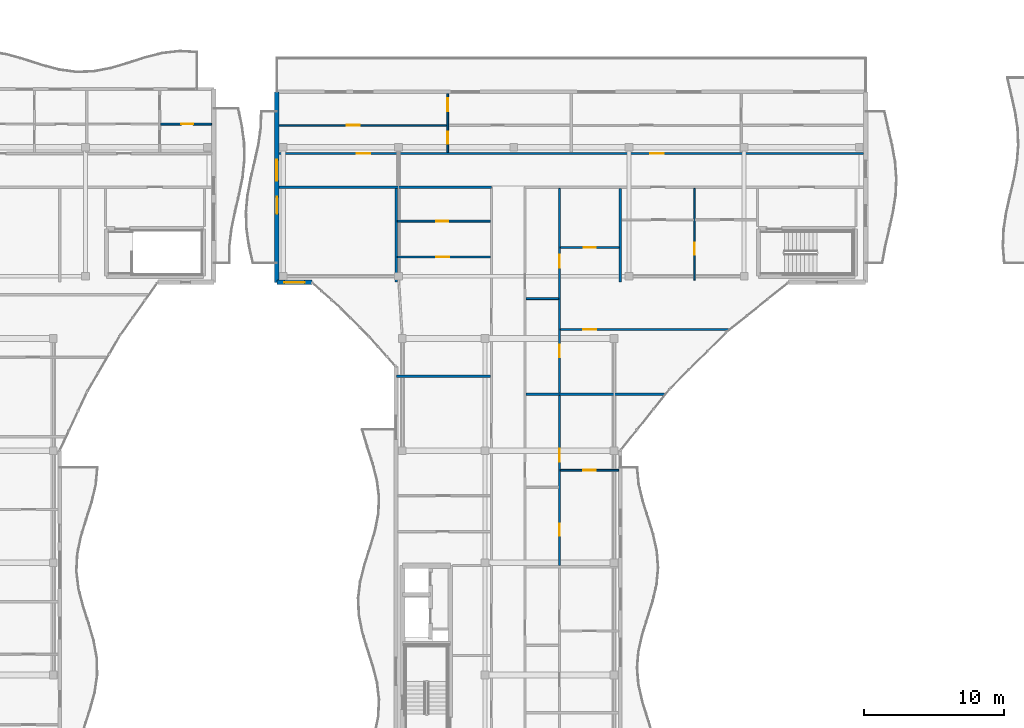
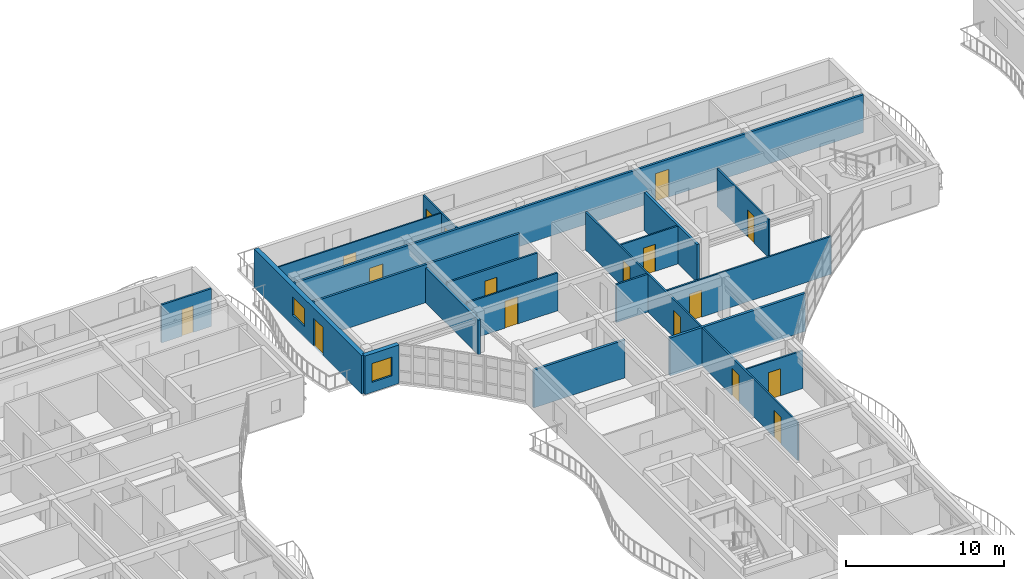
# One storey, part 34 of 68: 20 walls, 17 doors, 2 windows, 19 openings.
"""IFC4 building model written with IfcOpenShell, lengths in metres."""

from ifc_helpers import new_model, si_unit, direction, frame, frame_2d, origin, place, context, subcontext, project, spatial, rectangle, extrude, material, layer, layer_set, type_object, element, fill, save


model = new_model("IFC4")

# Units and contexts
model_context = context("Model", 3, precision=1e-05, world=origin(), true_north=direction((0.0, 1.0)))
body_context = subcontext(model_context, "Body", "Model", "MODEL_VIEW")
ifc_project = project(units=[si_unit("LENGTHUNIT", "METRE"), si_unit("AREAUNIT", "SQUARE_METRE"), si_unit("VOLUMEUNIT", "CUBIC_METRE"), si_unit("PLANEANGLEUNIT", "RADIAN"), si_unit("MASSUNIT", "GRAM", prefix="KILO")], contexts=[model_context])

# Site, building, storey
site_placement = place(None, origin())
site = spatial("IfcSite", under=ifc_project, at=site_placement, CompositionType="ELEMENT")
building_placement = place(site_placement, origin())
building = spatial("IfcBuilding", under=site, at=building_placement, Name="Keldmere Railside Commons", CompositionType="ELEMENT")
storey_placement = place(building_placement, frame((0.0, 0.0, 23.360107421875)))
storey = spatial("IfcBuildingStorey", under=building, at=storey_placement, Name="L07", CompositionType="ELEMENT", Elevation=23.360107421875)

# Walls
ifc_material_1 = material(Name="Acoustic Gypsum Board Partition", Category="gypsum")
ifc_layer_1 = layer(ifc_material_1, 0.179931640625, Name="Acoustic Demising Partition 180")
ifc_layer_set_1 = layer_set([ifc_layer_1], Name="Acoustic Gypsum Board Partition")
wall_type_1 = type_object("IfcWallType", Name="Acoustic Demising Partition 180", PredefinedType="PARTITIONING", material=ifc_layer_set_1)
wall_1_placement = place(storey_placement, frame((64.0, 100.050048828125, 0.0), z_axis=(0.0, 0.0, 1.0), x_axis=(0.0, 1.0, 0.0)))
element("IfcWall", 1, at=wall_1_placement, inside=storey, type_object=wall_type_1, Name="IW-1 IW-L07-0777", PredefinedType="PARTITIONING", context=body_context, shape_type="SweptSolid", body=[
    extrude(rectangle(XDim=6.669921875, YDim=0.179931640625, at=frame_2d((3.3349609375, 0.0))), origin(), (0.0, 0.0, 1.0), 2.934814453125),
])
wall_2_placement = place(storey_placement, frame((48.0, 100.050048828125, 0.0), z_axis=(0.0, 0.0, 1.0), x_axis=(0.0, 1.0, 0.0)))
element("IfcWall", 2, at=wall_2_placement, inside=storey, type_object=wall_type_1, Name="IW-1 IW-L07-0778", PredefinedType="PARTITIONING", context=body_context, shape_type="SweptSolid", body=[
    extrude(rectangle(XDim=6.669921875, YDim=0.179931640625, at=frame_2d((3.3349609375, 0.0))), origin(), (0.0, 0.0, 1.0), 2.679931640625),
])
wall_3_placement = place(storey_placement, frame((57.280029296875, 92.0400390625, 0.0), z_axis=(0.0, 0.0, 1.0), x_axis=(1.0, 0.0, 0.0)))
element("IfcWall", 3, at=wall_3_placement, inside=storey, type_object=wall_type_1, Name="IW-1 IW-L07-0783", PredefinedType="PARTITIONING", context=body_context, shape_type="SweptSolid", body=[
    extrude(rectangle(XDim=9.90966796875, YDim=0.179931640625, at=frame_2d((4.954833984375, 0.0))), origin(), (0.0, 0.0, 1.0), 2.934814453125),
])
wall_4_placement = place(storey_placement, frame((48.0400390625, 93.300048828125, 0.0), z_axis=(0.0, 0.0, 1.0), x_axis=(1.0, 0.0, 0.0)))
element("IfcWall", 4, at=wall_4_placement, inside=storey, type_object=wall_type_1, Name="IW-1 IW-L07-0807", PredefinedType="PARTITIONING", context=body_context, shape_type="SweptSolid", body=[
    extrude(rectangle(XDim=6.679931640625, YDim=0.179931640625, at=frame_2d((3.33984375, 0.0))), origin(), (0.0, 0.0, 1.0), 2.934814453125),
])

# Wall, openings, doors
ifc_layer_2 = layer(ifc_material_1, 0.1201171875, Name="Apartment Interior Partition 120")
ifc_layer_set_2 = layer_set([ifc_layer_2], Name="Acoustic Gypsum Board Partition")
wall_type_2 = type_object("IfcWallType", Name="Apartment Interior Partition 120", PredefinedType="PARTITIONING", material=ifc_layer_set_2)
wall_5_placement = place(storey_placement, frame((59.659912109375, 79.81005859375, 0.0), z_axis=(0.0, 0.0, 1.0), x_axis=(0.0, 1.0, 0.0)))
wall_5 = element("IfcWall", 5, at=wall_5_placement, inside=storey, type_object=wall_type_2, Name="IW-4 IW-L07-0790", PredefinedType="PARTITIONING", context=body_context, shape_type="SweptSolid", body=[
    extrude(rectangle(XDim=12.139892578125, YDim=0.1201171875, at=frame_2d((6.06982421875, 0.0))), origin(), (0.0, 0.0, 1.0), 2.934814453125),
])
opening_1_placement = place(wall_5_placement, frame((2.120361328125, 0.0, 0.0)))
opening_1 = element("IfcOpeningElement", 6, at=opening_1_placement, cuts=wall_5, Name="Opening ID-04", PredefinedType="OPENING", context=body_context, shape_type="SweptSolid", body=[
    extrude(rectangle(XDim=0.860107421875, YDim=2.10009765625, at=frame_2d((0.43017578125, 1.050048828125))), frame((0.0, 0.070068359375, 0.0), z_axis=(0.0, -1.0, 0.0), x_axis=(1.0, 0.0, 0.0)), (0.0, 0.0, 1.0), 0.14013671875),
])
opening_2_placement = place(wall_5_placement, frame((7.416748046875, 0.0, 0.0)))
opening_2 = element("IfcOpeningElement", 7, at=opening_2_placement, cuts=wall_5, Name="Opening ID-03", PredefinedType="OPENING", context=body_context, shape_type="SweptSolid", body=[
    extrude(rectangle(XDim=0.919921875, YDim=2.10009765625, at=frame_2d((0.4599609375, 1.050048828125))), frame((0.0, 0.070068359375, 0.0), z_axis=(0.0, -1.0, 0.0), x_axis=(1.0, 0.0, 0.0)), (0.0, 0.0, 1.0), 0.14013671875),
])
ifc_material_2 = material(Name="Engineered Oak Timber", Category="wood")
door_type_1 = type_object("IfcDoorType", Name="Apartment Bathroom Door 860x2100", OperationType="NOTDEFINED", PredefinedType="DOOR", material=ifc_material_2)
door_1_placement = place(opening_1_placement, origin())
door_1 = element("IfcDoor", 8, at=door_1_placement, inside=storey, type_object=door_type_1, Name="ID-04 IDR-L07-0671", OperationType="SINGLE_SWING_LEFT", OverallHeight=2.10009765625, OverallWidth=0.860107421875, PredefinedType="DOOR", context=body_context, shape_type="SweptSolid", body=[
    extrude(rectangle(XDim=0.860107421875, YDim=2.10009765625, at=frame_2d((0.43017578125, 1.050048828125))), frame((0.0, 0.02490234375, 0.0), z_axis=(0.0, -1.0, 0.0), x_axis=(1.0, 0.0, 0.0)), (0.0, 0.0, 1.0), 0.050048828125),
])
fill(opening_1, door_1)
door_type_2 = type_object("IfcDoorType", Name="Kitchen Pocket-Frame Swing Door 920x2100", OperationType="NOTDEFINED", PredefinedType="DOOR", material=ifc_material_2)
door_2_placement = place(opening_2_placement, origin())
door_2 = element("IfcDoor", 9, at=door_2_placement, inside=storey, type_object=door_type_2, Name="ID-03 IDR-L07-0672", OperationType="SINGLE_SWING_RIGHT", OverallHeight=2.10009765625, OverallWidth=0.919921875, PredefinedType="DOOR", context=body_context, shape_type="SweptSolid", body=[
    extrude(rectangle(XDim=0.919921875, YDim=2.10009765625, at=frame_2d((0.4599609375, 1.050048828125))), frame((0.0, 0.02490234375, 0.0), z_axis=(0.0, -1.0, 0.0), x_axis=(1.0, 0.0, 0.0)), (0.0, 0.0, 1.0), 0.050048828125),
])
fill(opening_2, door_2)

# Wall, opening, door
wall_6_placement = place(storey_placement, frame((59.719970703125, 86.610107421875, 0.0), z_axis=(0.0, 0.0, 1.0), x_axis=(1.0, 0.0, 0.0)))
wall_6 = element("IfcWall", 10, at=wall_6_placement, inside=storey, type_object=wall_type_2, Name="IW-4 IW-L07-0792", PredefinedType="PARTITIONING", context=body_context, shape_type="SweptSolid", body=[
    extrude(rectangle(XDim=4.150146484375, YDim=0.1201171875, at=frame_2d((2.0751953125, 0.0))), origin(), (0.0, 0.0, 1.0), 2.934814453125),
])
opening_3_placement = place(wall_6_placement, frame((1.625, 0.0, 0.0)))
opening_3 = element("IfcOpeningElement", 11, at=opening_3_placement, cuts=wall_6, Name="Opening ID-01", PredefinedType="OPENING", context=body_context, shape_type="SweptSolid", body=[
    extrude(rectangle(XDim=0.89990234375, YDim=2.10009765625, at=frame_2d((0.449951171875, 1.050048828125))), frame((0.0, 0.070068359375, 0.0), z_axis=(0.0, -1.0, 0.0), x_axis=(1.0, 0.0, 0.0)), (0.0, 0.0, 1.0), 0.14013671875),
])
door_type_3 = type_object("IfcDoorType", Name="Primary Bedroom Door 900x2100", OperationType="NOTDEFINED", PredefinedType="DOOR", material=ifc_material_2)
door_3_placement = place(opening_3_placement, origin())
door_3 = element("IfcDoor", 12, at=door_3_placement, inside=storey, type_object=door_type_3, Name="ID-01 IDR-L07-0674", OperationType="SINGLE_SWING_RIGHT", OverallHeight=2.10009765625, OverallWidth=0.89990234375, PredefinedType="DOOR", context=body_context, shape_type="SweptSolid", body=[
    extrude(rectangle(XDim=0.89990234375, YDim=2.10009765625, at=frame_2d((0.449951171875, 1.050048828125))), frame((0.0, 0.02490234375, 0.0), z_axis=(0.0, -1.0, 0.0), x_axis=(1.0, 0.0, 0.0)), (0.0, 0.0, 1.0), 0.050048828125),
])
fill(opening_3, door_3)

# Wall, openings, doors
wall_7_placement = place(storey_placement, frame((59.659912109375, 92.1298828125, 0.0), z_axis=(0.0, 0.0, 1.0), x_axis=(0.0, 1.0, 0.0)))
wall_7 = element("IfcWall", 13, at=wall_7_placement, inside=storey, type_object=wall_type_2, Name="IW-4 IW-L07-0793", PredefinedType="PARTITIONING", context=body_context, shape_type="SweptSolid", body=[
    extrude(rectangle(XDim=14.590087890625, YDim=0.1201171875, at=frame_2d((7.294921875, 0.0))), origin(), (0.0, 0.0, 1.0), 2.934814453125),
])
opening_4_placement = place(wall_7_placement, frame((2.5498046875, 0.0, 0.0)))
opening_4 = element("IfcOpeningElement", 14, at=opening_4_placement, cuts=wall_7, Name="Opening ID-04", PredefinedType="OPENING", context=body_context, shape_type="SweptSolid", body=[
    extrude(rectangle(XDim=0.860107421875, YDim=2.10009765625, at=frame_2d((0.43017578125, 1.050048828125))), frame((0.0, 0.070068359375, 0.0), z_axis=(0.0, -1.0, 0.0), x_axis=(1.0, 0.0, 0.0)), (0.0, 0.0, 1.0), 0.14013671875),
])
opening_5_placement = place(wall_7_placement, frame((8.91650390625, 0.0, 0.0)))
opening_5 = element("IfcOpeningElement", 15, at=opening_5_placement, cuts=wall_7, Name="Opening ID-03", PredefinedType="OPENING", context=body_context, shape_type="SweptSolid", body=[
    extrude(rectangle(XDim=0.919921875, YDim=2.10009765625, at=frame_2d((0.4599609375, 1.050048828125))), frame((0.0, 0.070068359375, 0.0), z_axis=(0.0, -1.0, 0.0), x_axis=(1.0, 0.0, 0.0)), (0.0, 0.0, 1.0), 0.14013671875),
])
door_4_placement = place(opening_4_placement, origin())
door_4 = element("IfcDoor", 16, at=door_4_placement, inside=storey, type_object=door_type_1, Name="ID-04 IDR-L07-0675", OperationType="SINGLE_SWING_LEFT", OverallHeight=2.10009765625, OverallWidth=0.860107421875, PredefinedType="DOOR", context=body_context, shape_type="SweptSolid", body=[
    extrude(rectangle(XDim=0.860107421875, YDim=2.10009765625, at=frame_2d((0.43017578125, 1.050048828125))), frame((0.0, 0.02490234375, 0.0), z_axis=(0.0, -1.0, 0.0), x_axis=(1.0, 0.0, 0.0)), (0.0, 0.0, 1.0), 0.050048828125),
])
fill(opening_4, door_4)
door_5_placement = place(opening_5_placement, origin())
door_5 = element("IfcDoor", 17, at=door_5_placement, inside=storey, type_object=door_type_2, Name="ID-03 IDR-L07-0676", OperationType="SINGLE_SWING_RIGHT", OverallHeight=2.10009765625, OverallWidth=0.919921875, PredefinedType="DOOR", context=body_context, shape_type="SweptSolid", body=[
    extrude(rectangle(XDim=0.919921875, YDim=2.10009765625, at=frame_2d((0.4599609375, 1.050048828125))), frame((0.0, 0.02490234375, 0.0), z_axis=(0.0, -1.0, 0.0), x_axis=(1.0, 0.0, 0.0)), (0.0, 0.0, 1.0), 0.050048828125),
])
fill(opening_5, door_5)

# Wall, opening, door
wall_8_placement = place(storey_placement, frame((59.719970703125, 96.64990234375, 0.0), z_axis=(0.0, 0.0, 1.0), x_axis=(1.0, 0.0, 0.0)))
wall_8 = element("IfcWall", 18, at=wall_8_placement, inside=storey, type_object=wall_type_2, Name="IW-4 IW-L07-0795", PredefinedType="PARTITIONING", context=body_context, shape_type="SweptSolid", body=[
    extrude(rectangle(XDim=12.04052734375, YDim=0.1201171875, at=frame_2d((6.020263671875, 0.0))), origin(), (0.0, 0.0, 1.0), 2.934814453125),
])
opening_6_placement = place(wall_8_placement, frame((1.64501953125, 0.0, 0.0)))
opening_6 = element("IfcOpeningElement", 19, at=opening_6_placement, cuts=wall_8, Name="Opening ID-01", PredefinedType="OPENING", context=body_context, shape_type="SweptSolid", body=[
    extrude(rectangle(XDim=0.89990234375, YDim=2.10009765625, at=frame_2d((0.449951171875, 1.050048828125))), frame((0.0, 0.070068359375, 0.0), z_axis=(0.0, -1.0, 0.0), x_axis=(1.0, 0.0, 0.0)), (0.0, 0.0, 1.0), 0.14013671875),
])
door_6_placement = place(opening_6_placement, origin())
door_6 = element("IfcDoor", 20, at=door_6_placement, inside=storey, type_object=door_type_3, Name="ID-01 IDR-L07-0678", OperationType="SINGLE_SWING_RIGHT", OverallHeight=2.10009765625, OverallWidth=0.89990234375, PredefinedType="DOOR", context=body_context, shape_type="SweptSolid", body=[
    extrude(rectangle(XDim=0.89990234375, YDim=2.10009765625, at=frame_2d((0.449951171875, 1.050048828125))), frame((0.0, 0.02490234375, 0.0), z_axis=(0.0, -1.0, 0.0), x_axis=(1.0, 0.0, 0.0)), (0.0, 0.0, 1.0), 0.050048828125),
])
fill(opening_6, door_6)

wall_9_placement = place(storey_placement, frame((59.719970703125, 102.489990234375, 0.0), z_axis=(0.0, 0.0, 1.0), x_axis=(1.0, 0.0, 0.0)))
wall_9 = element("IfcWall", 21, at=wall_9_placement, inside=storey, type_object=wall_type_2, Name="IW-4 IW-L07-0796", PredefinedType="PARTITIONING", context=body_context, shape_type="SweptSolid", body=[
    extrude(rectangle(XDim=4.18994140625, YDim=0.1201171875, at=frame_2d((2.094970703125, 0.0))), origin(), (0.0, 0.0, 1.0), 2.934814453125),
])
opening_7_placement = place(wall_9_placement, frame((1.655029296875, 0.0, 0.0)))
opening_7 = element("IfcOpeningElement", 22, at=opening_7_placement, cuts=wall_9, Name="Opening ID-02", PredefinedType="OPENING", context=body_context, shape_type="SweptSolid", body=[
    extrude(rectangle(XDim=0.8798828125, YDim=2.10009765625, at=frame_2d((0.43994140625, 1.050048828125))), frame((0.0, 0.070068359375, 0.0), z_axis=(0.0, -1.0, 0.0), x_axis=(1.0, 0.0, 0.0)), (0.0, 0.0, 1.0), 0.14013671875),
])
door_type_4 = type_object("IfcDoorType", Name="Secondary Bedroom Door 880x2100", OperationType="NOTDEFINED", PredefinedType="DOOR", material=ifc_material_2)
door_7_placement = place(opening_7_placement, origin())
door_7 = element("IfcDoor", 23, at=door_7_placement, inside=storey, type_object=door_type_4, Name="ID-02 IDR-L07-0679", OperationType="SINGLE_SWING_LEFT", OverallHeight=2.10009765625, OverallWidth=0.8798828125, PredefinedType="DOOR", context=body_context, shape_type="SweptSolid", body=[
    extrude(rectangle(XDim=0.8798828125, YDim=2.10009765625, at=frame_2d((0.43994140625, 1.050048828125))), frame((0.0, 0.02490234375, 0.0), z_axis=(0.0, -1.0, 0.0), x_axis=(1.0, 0.0, 0.0)), (0.0, 0.0, 1.0), 0.050048828125),
])
fill(opening_7, door_7)

# Wall, openings, doors
wall_10_placement = place(storey_placement, frame((51.68994140625, 109.280029296875, 0.0), z_axis=(0.0, 0.0, 1.0), x_axis=(0.0, 1.0, 0.0)))
wall_10 = element("IfcWall", 24, at=wall_10_placement, inside=storey, type_object=wall_type_2, Name="IW-4 IW-L07-0798", PredefinedType="PARTITIONING", context=body_context, shape_type="SweptSolid", body=[
    extrude(rectangle(XDim=4.18994140625, YDim=0.1201171875, at=frame_2d((2.094970703125, 0.0))), origin(), (0.0, 0.0, 1.0), 2.934814453125),
])
opening_8_placement = place(wall_10_placement, frame((0.61767578125, 0.0, 0.0)))
opening_8 = element("IfcOpeningElement", 25, at=opening_8_placement, cuts=wall_10, Name="Opening ID-04", PredefinedType="OPENING", context=body_context, shape_type="SweptSolid", body=[
    extrude(rectangle(XDim=0.860107421875, YDim=2.10009765625, at=frame_2d((0.43017578125, 1.050048828125))), frame((0.0, 0.070068359375, 0.0), z_axis=(0.0, -1.0, 0.0), x_axis=(1.0, 0.0, 0.0)), (0.0, 0.0, 1.0), 0.14013671875),
])
opening_9_placement = place(wall_10_placement, frame((2.947021484375, 0.0, 0.0)))
opening_9 = element("IfcOpeningElement", 26, at=opening_9_placement, cuts=wall_10, Name="Opening ID-01", PredefinedType="OPENING", context=body_context, shape_type="SweptSolid", body=[
    extrude(rectangle(XDim=0.89990234375, YDim=2.10009765625, at=frame_2d((0.449951171875, 1.050048828125))), frame((0.0, 0.070068359375, 0.0), z_axis=(0.0, -1.0, 0.0), x_axis=(1.0, 0.0, 0.0)), (0.0, 0.0, 1.0), 0.14013671875),
])
door_8_placement = place(opening_8_placement, origin())
door_8 = element("IfcDoor", 27, at=door_8_placement, inside=storey, type_object=door_type_1, Name="ID-04 IDR-L07-0682", OperationType="SINGLE_SWING_RIGHT", OverallHeight=2.10009765625, OverallWidth=0.860107421875, PredefinedType="DOOR", context=body_context, shape_type="SweptSolid", body=[
    extrude(rectangle(XDim=0.860107421875, YDim=2.10009765625, at=frame_2d((0.43017578125, 1.050048828125))), frame((0.0, 0.02490234375, 0.0), z_axis=(0.0, -1.0, 0.0), x_axis=(1.0, 0.0, 0.0)), (0.0, 0.0, 1.0), 0.050048828125),
])
fill(opening_8, door_8)
door_9_placement = place(opening_9_placement, origin())
door_9 = element("IfcDoor", 28, at=door_9_placement, inside=storey, type_object=door_type_3, Name="ID-01 IDR-L07-0683", OperationType="SINGLE_SWING_LEFT", OverallHeight=2.10009765625, OverallWidth=0.89990234375, PredefinedType="DOOR", context=body_context, shape_type="SweptSolid", body=[
    extrude(rectangle(XDim=0.89990234375, YDim=2.10009765625, at=frame_2d((0.449951171875, 1.050048828125))), frame((0.0, 0.02490234375, 0.0), z_axis=(0.0, -1.0, 0.0), x_axis=(1.0, 0.0, 0.0)), (0.0, 0.0, 1.0), 0.050048828125),
])
fill(opening_9, door_9)

# Wall, opening, door
wall_11_placement = place(storey_placement, frame((69.280029296875, 100.159912109375, 0.0), z_axis=(0.0, 0.0, 1.0), x_axis=(0.0, 1.0, 0.0)))
wall_11 = element("IfcWall", 29, at=wall_11_placement, inside=storey, type_object=wall_type_2, Name="IW-4 IW-L07-0804", PredefinedType="PARTITIONING", context=body_context, shape_type="SweptSolid", body=[
    extrude(rectangle(XDim=6.56005859375, YDim=0.1201171875, at=frame_2d((3.280029296875, 0.0))), origin(), (0.0, 0.0, 1.0), 2.934814453125),
])
opening_10_placement = place(wall_11_placement, frame((1.810302734375, 0.0, 0.0)))
opening_10 = element("IfcOpeningElement", 30, at=opening_10_placement, cuts=wall_11, Name="Opening ID-02", PredefinedType="OPENING", context=body_context, shape_type="SweptSolid", body=[
    extrude(rectangle(XDim=0.8798828125, YDim=2.10009765625, at=frame_2d((0.43994140625, 1.050048828125))), frame((0.0, 0.070068359375, 0.0), z_axis=(0.0, -1.0, 0.0), x_axis=(1.0, 0.0, 0.0)), (0.0, 0.0, 1.0), 0.14013671875),
])
door_10_placement = place(opening_10_placement, origin())
door_10 = element("IfcDoor", 31, at=door_10_placement, inside=storey, type_object=door_type_4, Name="ID-02 IDR-L07-0691", OperationType="SINGLE_SWING_LEFT", OverallHeight=2.10009765625, OverallWidth=0.8798828125, PredefinedType="DOOR", context=body_context, shape_type="SweptSolid", body=[
    extrude(rectangle(XDim=0.8798828125, YDim=2.10009765625, at=frame_2d((0.43994140625, 1.050048828125))), frame((0.0, 0.02490234375, 0.0), z_axis=(0.0, -1.0, 0.0), x_axis=(1.0, 0.0, 0.0)), (0.0, 0.0, 1.0), 0.050048828125),
])
fill(opening_10, door_10)

wall_12_placement = place(storey_placement, frame((48.090087890625, 101.820068359375, 0.0), z_axis=(0.0, 0.0, 1.0), x_axis=(1.0, 0.0, 0.0)))
wall_12 = element("IfcWall", 32, at=wall_12_placement, inside=storey, type_object=wall_type_2, Name="IW-4 IW-L07-0810", PredefinedType="PARTITIONING", context=body_context, shape_type="SweptSolid", body=[
    extrude(rectangle(XDim=6.6298828125, YDim=0.1201171875, at=frame_2d((3.31494140625, 0.0))), origin(), (0.0, 0.0, 1.0), 2.934814453125),
])
opening_11_placement = place(wall_12_placement, frame((2.78466796875, 0.0, 0.0)))
opening_11 = element("IfcOpeningElement", 33, at=opening_11_placement, cuts=wall_12, Name="Opening ID-03", PredefinedType="OPENING", context=body_context, shape_type="SweptSolid", body=[
    extrude(rectangle(XDim=0.919921875, YDim=2.10009765625, at=frame_2d((0.4599609375, 1.050048828125))), frame((0.0, 0.070068359375, 0.0), z_axis=(0.0, -1.0, 0.0), x_axis=(1.0, 0.0, 0.0)), (0.0, 0.0, 1.0), 0.14013671875),
])
door_11_placement = place(opening_11_placement, origin())
door_11 = element("IfcDoor", 34, at=door_11_placement, inside=storey, type_object=door_type_2, Name="ID-03 IDR-L07-0698", OperationType="SINGLE_SWING_RIGHT", OverallHeight=2.10009765625, OverallWidth=0.919921875, PredefinedType="DOOR", context=body_context, shape_type="SweptSolid", body=[
    extrude(rectangle(XDim=0.919921875, YDim=2.10009765625, at=frame_2d((0.4599609375, 1.050048828125))), frame((0.0, 0.02490234375, 0.0), z_axis=(0.0, -1.0, 0.0), x_axis=(1.0, 0.0, 0.0)), (0.0, 0.0, 1.0), 0.050048828125),
])
fill(opening_11, door_11)

ifc_layer_3 = layer(ifc_material_1, 0.10009765625, Name="Closet Light Partition 100")
ifc_layer_set_3 = layer_set([ifc_layer_3], Name="Acoustic Gypsum Board Partition")
wall_type_3 = type_object("IfcWallType", Name="Closet Light Partition 100", PredefinedType="PARTITIONING", material=ifc_layer_set_3)
wall_13_placement = place(storey_placement, frame((39.659912109375, 111.2099609375, 0.0), z_axis=(0.0, 0.0, 1.0), x_axis=(1.0, 0.0, 0.0)))
wall_13 = element("IfcWall", 35, at=wall_13_placement, inside=storey, type_object=wall_type_3, Name="IW-6 IW-L07-0800", PredefinedType="PARTITIONING", context=body_context, shape_type="SweptSolid", body=[
    extrude(rectangle(XDim=11.969970703125, YDim=0.10009765625, at=frame_2d((5.98486328125, 0.0))), origin(), (0.0, 0.0, 1.0), 2.934814453125),
])
opening_12_placement = place(wall_13_placement, frame((4.81201171875, 0.0, 0.0)))
opening_12 = element("IfcOpeningElement", 36, at=opening_12_placement, cuts=wall_13, Name="Opening ID-03", PredefinedType="OPENING", context=body_context, shape_type="SweptSolid", body=[
    extrude(rectangle(XDim=0.919921875, YDim=2.10009765625, at=frame_2d((0.4599609375, 1.050048828125))), frame((0.0, 0.06005859375, 0.0), z_axis=(0.0, -1.0, 0.0), x_axis=(1.0, 0.0, 0.0)), (0.0, 0.0, 1.0), 0.1201171875),
])
door_12_placement = place(opening_12_placement, origin())
door_12 = element("IfcDoor", 37, at=door_12_placement, inside=storey, type_object=door_type_2, Name="ID-03 IDR-L07-0681", OperationType="SINGLE_SWING_LEFT", OverallHeight=2.10009765625, OverallWidth=0.919921875, PredefinedType="DOOR", context=body_context, shape_type="SweptSolid", body=[
    extrude(rectangle(XDim=0.919921875, YDim=2.10009765625, at=frame_2d((0.4599609375, 1.050048828125))), frame((0.0, 0.02490234375, 0.0), z_axis=(0.0, -1.0, 0.0), x_axis=(1.0, 0.0, 0.0)), (0.0, 0.0, 1.0), 0.050048828125),
])
fill(opening_12, door_12)

# Wall
ifc_layer_4 = layer(ifc_material_1, 0.159912109375, Name="Corridor Fire Partition 160")
ifc_layer_set_4 = layer_set([ifc_layer_4], Name="Acoustic Gypsum Board Partition")
wall_type_4 = type_object("IfcWallType", Name="Corridor Fire Partition 160", PredefinedType="PARTITIONING", material=ifc_layer_set_4)
wall_14_placement = place(storey_placement, frame((39.659912109375, 106.800048828125, 0.0), z_axis=(0.0, 0.0, 1.0), x_axis=(1.0, 0.0, 0.0)))
element("IfcWall", 38, at=wall_14_placement, inside=storey, type_object=wall_type_4, Name="IW-2 IW-L07-0774", PredefinedType="PARTITIONING", context=body_context, shape_type="SweptSolid", body=[
    extrude(rectangle(XDim=15.14013671875, YDim=0.159912109375, at=frame_2d((7.570068359375, 0.0))), origin(), (0.0, 0.0, 1.0), 2.934814453125),
])

# Wall, openings, doors
wall_15_placement = place(storey_placement, frame((39.659912109375, 109.199951171875, 0.0), z_axis=(0.0, 0.0, 1.0), x_axis=(1.0, 0.0, 0.0)))
wall_15 = element("IfcWall", 39, at=wall_15_placement, inside=storey, type_object=wall_type_4, Name="IW-2 IW-L07-0776", PredefinedType="PARTITIONING", context=body_context, shape_type="SweptSolid", body=[
    extrude(rectangle(XDim=41.68017578125, YDim=0.159912109375, at=frame_2d((20.840087890625, 0.0))), origin(), (0.0, 0.0, 1.0), 2.934814453125),
])
opening_13_placement = place(wall_15_placement, frame((5.52490234375, 0.0, 0.0)))
opening_13 = element("IfcOpeningElement", 40, at=opening_13_placement, cuts=wall_15, Name="Opening FD-7", PredefinedType="OPENING", context=body_context, shape_type="SweptSolid", body=[
    extrude(rectangle(XDim=0.97998046875, YDim=2.14990234375, at=frame_2d((0.489990234375, 1.074951171875))), frame((0.0, 0.08984375, 0.0), z_axis=(0.0, -1.0, 0.0), x_axis=(1.0, 0.0, 0.0)), (0.0, 0.0, 1.0), 0.179931640625),
])
opening_14_placement = place(wall_15_placement, frame((26.455078125, 0.0, 0.0)))
opening_14 = element("IfcOpeningElement", 41, at=opening_14_placement, cuts=wall_15, Name="Opening FD-7", PredefinedType="OPENING", context=body_context, shape_type="SweptSolid", body=[
    extrude(rectangle(XDim=0.97998046875, YDim=2.14990234375, at=frame_2d((0.489990234375, 1.074951171875))), frame((0.0, 0.08984375, 0.0), z_axis=(0.0, -1.0, 0.0), x_axis=(1.0, 0.0, 0.0)), (0.0, 0.0, 1.0), 0.179931640625),
])
door_type_5 = type_object("IfcDoorType", Name="Apartment Entrance Acoustic Fire Door 980x2150", OperationType="NOTDEFINED", PredefinedType="DOOR", material=ifc_material_2)
door_13_placement = place(opening_13_placement, origin())
door_13 = element("IfcDoor", 42, at=door_13_placement, inside=storey, type_object=door_type_5, Name="FD-7 IDR-L07-0680", OperationType="SINGLE_SWING_RIGHT", OverallHeight=2.14990234375, OverallWidth=0.97998046875, PredefinedType="DOOR", context=body_context, shape_type="SweptSolid", body=[
    extrude(rectangle(XDim=0.97998046875, YDim=2.14990234375, at=frame_2d((0.489990234375, 1.074951171875))), frame((0.0, 0.02490234375, 0.0), z_axis=(0.0, -1.0, 0.0), x_axis=(1.0, 0.0, 0.0)), (0.0, 0.0, 1.0), 0.050048828125),
])
fill(opening_13, door_13)
door_14_placement = place(opening_14_placement, origin())
door_14 = element("IfcDoor", 43, at=door_14_placement, inside=storey, type_object=door_type_5, Name="FD-7 IDR-L07-0685", OperationType="SINGLE_SWING_LEFT", OverallHeight=2.14990234375, OverallWidth=0.97998046875, PredefinedType="DOOR", context=body_context, shape_type="SweptSolid", body=[
    extrude(rectangle(XDim=0.97998046875, YDim=2.14990234375, at=frame_2d((0.489990234375, 1.074951171875))), frame((0.0, 0.02490234375, 0.0), z_axis=(0.0, -1.0, 0.0), x_axis=(1.0, 0.0, 0.0)), (0.0, 0.0, 1.0), 0.050048828125),
])
fill(opening_14, door_14)

# Wall, openings, door, window
ifc_material_3 = material(Name="Concrete H-35 (C35/45)", Category="concrete")
ifc_layer_5 = layer(ifc_material_3, 0.320068359375, Name="Exterior Shear Wall 320")
ifc_layer_set_5 = layer_set([ifc_layer_5], Name="Concrete H-35 (C35/45)")
wall_type_5 = type_object("IfcWallType", Name="Exterior Shear Wall 320", PredefinedType="SHEAR", material=ifc_layer_set_5)
wall_16_placement = place(storey_placement, frame((39.5, 100.0, 0.0), z_axis=(0.0, 0.0, 1.0), x_axis=(0.0, 1.0, 0.0)))
wall_16 = element("IfcWall", 44, at=wall_16_placement, inside=storey, type_object=wall_type_5, Name="ESW-2 EXTC-L07-0385", PredefinedType="SHEAR", context=body_context, shape_type="SweptSolid", body=[
    extrude(rectangle(XDim=13.60009765625, YDim=0.320068359375, at=frame_2d((6.800048828125, 0.0))), origin(), (0.0, 0.0, 1.0), 2.97998046875),
])
opening_15_placement = place(wall_16_placement, frame((4.89990234375, 0.0, 0.0)))
opening_15 = element("IfcOpeningElement", 45, at=opening_15_placement, cuts=wall_16, Name="Opening BD-01", PredefinedType="OPENING", context=body_context, shape_type="SweptSolid", body=[
    extrude(rectangle(XDim=1.199951171875, YDim=2.199951171875, at=frame_2d((0.60009765625, 1.10009765625))), frame((0.0, 0.169921875, 0.0), z_axis=(0.0, -1.0, 0.0), x_axis=(1.0, 0.0, 0.0)), (0.0, 0.0, 1.0), 0.340087890625),
])
opening_16_placement = place(wall_16_placement, frame((7.25, 0.0, 0.820068359375)))
opening_16 = element("IfcOpeningElement", 46, at=opening_16_placement, cuts=wall_16, Name="Opening WN-06", PredefinedType="OPENING", context=body_context, shape_type="SweptSolid", body=[
    extrude(rectangle(XDim=1.5, YDim=1.39990234375, at=frame_2d((0.75, 0.699951171875))), frame((0.0, 0.169921875, 0.0), z_axis=(0.0, -1.0, 0.0), x_axis=(1.0, 0.0, 0.0)), (0.0, 0.0, 1.0), 0.340087890625),
])
ifc_material_4 = material(Name="Thermally Broken Aluminium", Category="aluminium")
door_type_6 = type_object("IfcDoorType", Name="Apartment Living Wave-Balcony Glazed Door 1200x2200", OperationType="NOTDEFINED", PredefinedType="DOOR", material=ifc_material_4)
door_15_placement = place(opening_15_placement, origin())
door_15 = element("IfcDoor", 47, at=door_15_placement, inside=storey, type_object=door_type_6, Name="BD-01 DR-L07-0105", OperationType="SINGLE_SWING_LEFT", OverallHeight=2.199951171875, OverallWidth=1.199951171875, PredefinedType="DOOR", context=body_context, shape_type="SweptSolid", body=[
    extrude(rectangle(XDim=1.199951171875, YDim=2.199951171875, at=frame_2d((0.60009765625, 1.10009765625))), frame((0.0, 0.02490234375, 0.0), z_axis=(0.0, -1.0, 0.0), x_axis=(1.0, 0.0, 0.0)), (0.0, 0.0, 1.0), 0.050048828125),
])
fill(opening_15, door_15)
ifc_material_5 = material(Name="Low-E Insulated Double Glazing", Category="glass")
window_type_1 = type_object("IfcWindowType", Name="Primary Bedroom North Window 1500x1400", PartitioningType="SINGLE_PANEL", PredefinedType="WINDOW", material=ifc_material_5)
window_1_placement = place(opening_16_placement, origin())
window_1 = element("IfcWindow", 48, at=window_1_placement, inside=storey, type_object=window_type_1, Name="WN-06 WIN-L07-0300", OverallHeight=1.39990234375, OverallWidth=1.5, PartitioningType="SINGLE_PANEL", PredefinedType="WINDOW", context=body_context, shape_type="SweptSolid", body=[
    extrude(rectangle(XDim=1.5, YDim=1.39990234375, at=frame_2d((0.75, 0.699951171875))), frame((0.0, 0.030029296875, 0.0), z_axis=(0.0, -1.0, 0.0), x_axis=(1.0, 0.0, 0.0)), (0.0, 0.0, 1.0), 0.06005859375),
])
fill(opening_16, window_1)

# Wall, opening, window
wall_17_placement = place(storey_placement, frame((42.0, 100.0, 0.0), z_axis=(0.0, 0.0, 1.0), x_axis=(-1.0, 0.0, 0.0)))
wall_17 = element("IfcWall", 49, at=wall_17_placement, inside=storey, type_object=wall_type_5, Name="ESW-2 EXTC-L07-0386", PredefinedType="SHEAR", context=body_context, shape_type="SweptSolid", body=[
    extrude(rectangle(XDim=2.5, YDim=0.320068359375, at=frame_2d((1.25, 0.0))), origin(), (0.0, 0.0, 1.0), 2.97998046875),
])
opening_17_placement = place(wall_17_placement, frame((0.52490234375, 0.0, 0.77001953125)))
opening_17 = element("IfcOpeningElement", 50, at=opening_17_placement, cuts=wall_17, Name="Opening WN-24", PredefinedType="OPENING", context=body_context, shape_type="SweptSolid", body=[
    extrude(rectangle(XDim=1.449951171875, YDim=1.449951171875, at=frame_2d((0.72509765625, 0.72509765625))), frame((0.0, 0.169921875, 0.0), z_axis=(0.0, -1.0, 0.0), x_axis=(1.0, 0.0, 0.0)), (0.0, 0.0, 1.0), 0.340087890625),
])
window_type_2 = type_object("IfcWindowType", Name="Setback Terrace Bedroom Window 1450x1450", PartitioningType="SINGLE_PANEL", PredefinedType="WINDOW", material=ifc_material_5)
window_2_placement = place(opening_17_placement, origin())
window_2 = element("IfcWindow", 51, at=window_2_placement, inside=storey, type_object=window_type_2, Name="WN-24 WIN-L07-0301", OverallHeight=1.449951171875, OverallWidth=1.449951171875, PartitioningType="SINGLE_PANEL", PredefinedType="WINDOW", context=body_context, shape_type="SweptSolid", body=[
    extrude(rectangle(XDim=1.449951171875, YDim=1.449951171875, at=frame_2d((0.72509765625, 0.72509765625))), frame((0.0, 0.030029296875, 0.0), z_axis=(0.0, -1.0, 0.0), x_axis=(1.0, 0.0, 0.0)), (0.0, 0.0, 1.0), 0.06005859375),
])
fill(opening_17, window_2)

# Wall, opening, door
ifc_layer_6 = layer(ifc_material_1, 0.139892578125, Name="Wet-Room Sanitary Partition 140")
ifc_layer_set_6 = layer_set([ifc_layer_6], Name="Acoustic Gypsum Board Partition")
wall_type_6 = type_object("IfcWallType", Name="Wet-Room Sanitary Partition 140", PredefinedType="PARTITIONING", material=ifc_layer_set_6)
wall_18_placement = place(storey_placement, frame((31.199951171875, 111.300048828125, 0.0), z_axis=(0.0, 0.0, 1.0), x_axis=(1.0, 0.0, 0.0)))
wall_18 = element("IfcWall", 52, at=wall_18_placement, inside=storey, type_object=wall_type_6, Name="IW-5 IW-L07-0476", PredefinedType="PARTITIONING", context=body_context, shape_type="SweptSolid", body=[
    extrude(rectangle(XDim=3.64013671875, YDim=0.139892578125, at=frame_2d((1.820068359375, 0.0))), origin(), (0.0, 0.0, 1.0), 2.934814453125),
])
opening_18_placement = place(wall_18_placement, frame((1.47998046875, 0.0, 0.0)))
opening_18 = element("IfcOpeningElement", 53, at=opening_18_placement, cuts=wall_18, Name="Opening ID-06", PredefinedType="OPENING", context=body_context, shape_type="SweptSolid", body=[
    extrude(rectangle(XDim=0.85009765625, YDim=2.050048828125, at=frame_2d((0.425048828125, 1.02490234375))), frame((0.0, 0.079833984375, 0.0), z_axis=(0.0, -1.0, 0.0), x_axis=(1.0, 0.0, 0.0)), (0.0, 0.0, 1.0), 0.159912109375),
])
door_type_7 = type_object("IfcDoorType", Name="Storage Closet Door 850x2050", OperationType="NOTDEFINED", PredefinedType="DOOR", material=ifc_material_2)
door_16_placement = place(opening_18_placement, origin())
door_16 = element("IfcDoor", 54, at=door_16_placement, inside=storey, type_object=door_type_7, Name="ID-06 IDR-L07-0379", OperationType="SINGLE_SWING_LEFT", OverallHeight=2.050048828125, OverallWidth=0.85009765625, PredefinedType="DOOR", context=body_context, shape_type="SweptSolid", body=[
    extrude(rectangle(XDim=0.85009765625, YDim=2.050048828125, at=frame_2d((0.425048828125, 1.02490234375))), frame((0.0, 0.02490234375, 0.0), z_axis=(0.0, -1.0, 0.0), x_axis=(1.0, 0.0, 0.0)), (0.0, 0.0, 1.0), 0.050048828125),
])
fill(opening_18, door_16)

# Wall
wall_19_placement = place(storey_placement, frame((57.280029296875, 98.840087890625, 0.0), z_axis=(0.0, 0.0, 1.0), x_axis=(1.0, 0.0, 0.0)))
element("IfcWall", 55, at=wall_19_placement, inside=storey, type_object=wall_type_6, Name="IW-5 IW-L07-0794", PredefinedType="PARTITIONING", context=body_context, shape_type="SweptSolid", body=[
    extrude(rectangle(XDim=2.320068359375, YDim=0.139892578125, at=frame_2d((1.16015625, 0.0))), origin(), (0.0, 0.0, 1.0), 2.934814453125),
])

# Wall, opening, door
wall_20_placement = place(storey_placement, frame((48.090087890625, 104.3701171875, 0.0), z_axis=(0.0, 0.0, 1.0), x_axis=(1.0, 0.0, 0.0)))
wall_20 = element("IfcWall", 56, at=wall_20_placement, inside=storey, type_object=wall_type_6, Name="IW-5 IW-L07-0811", PredefinedType="PARTITIONING", context=body_context, shape_type="SweptSolid", body=[
    extrude(rectangle(XDim=6.6298828125, YDim=0.139892578125, at=frame_2d((3.31494140625, 0.0))), origin(), (0.0, 0.0, 1.0), 2.934814453125),
])
opening_19_placement = place(wall_20_placement, frame((2.78466796875, 0.0, 0.0)))
opening_19 = element("IfcOpeningElement", 57, at=opening_19_placement, cuts=wall_20, Name="Opening ID-04", PredefinedType="OPENING", context=body_context, shape_type="SweptSolid", body=[
    extrude(rectangle(XDim=0.860107421875, YDim=2.10009765625, at=frame_2d((0.43017578125, 1.050048828125))), frame((0.0, 0.079833984375, 0.0), z_axis=(0.0, -1.0, 0.0), x_axis=(1.0, 0.0, 0.0)), (0.0, 0.0, 1.0), 0.159912109375),
])
door_17_placement = place(opening_19_placement, origin())
door_17 = element("IfcDoor", 58, at=door_17_placement, inside=storey, type_object=door_type_1, Name="ID-04 IDR-L07-0697", OperationType="SINGLE_SWING_LEFT", OverallHeight=2.10009765625, OverallWidth=0.860107421875, PredefinedType="DOOR", context=body_context, shape_type="SweptSolid", body=[
    extrude(rectangle(XDim=0.860107421875, YDim=2.10009765625, at=frame_2d((0.43017578125, 1.050048828125))), frame((0.0, 0.02490234375, 0.0), z_axis=(0.0, -1.0, 0.0), x_axis=(1.0, 0.0, 0.0)), (0.0, 0.0, 1.0), 0.050048828125),
])
fill(opening_19, door_17)

save(model, "model.ifc")
